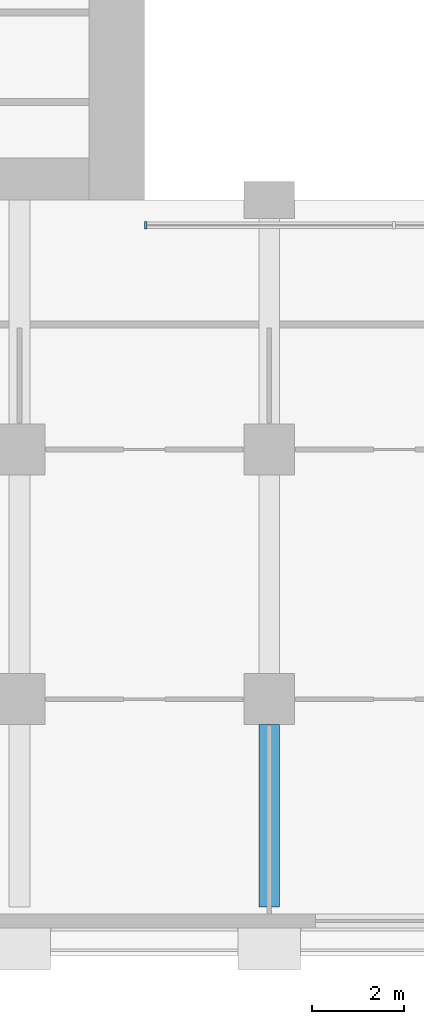
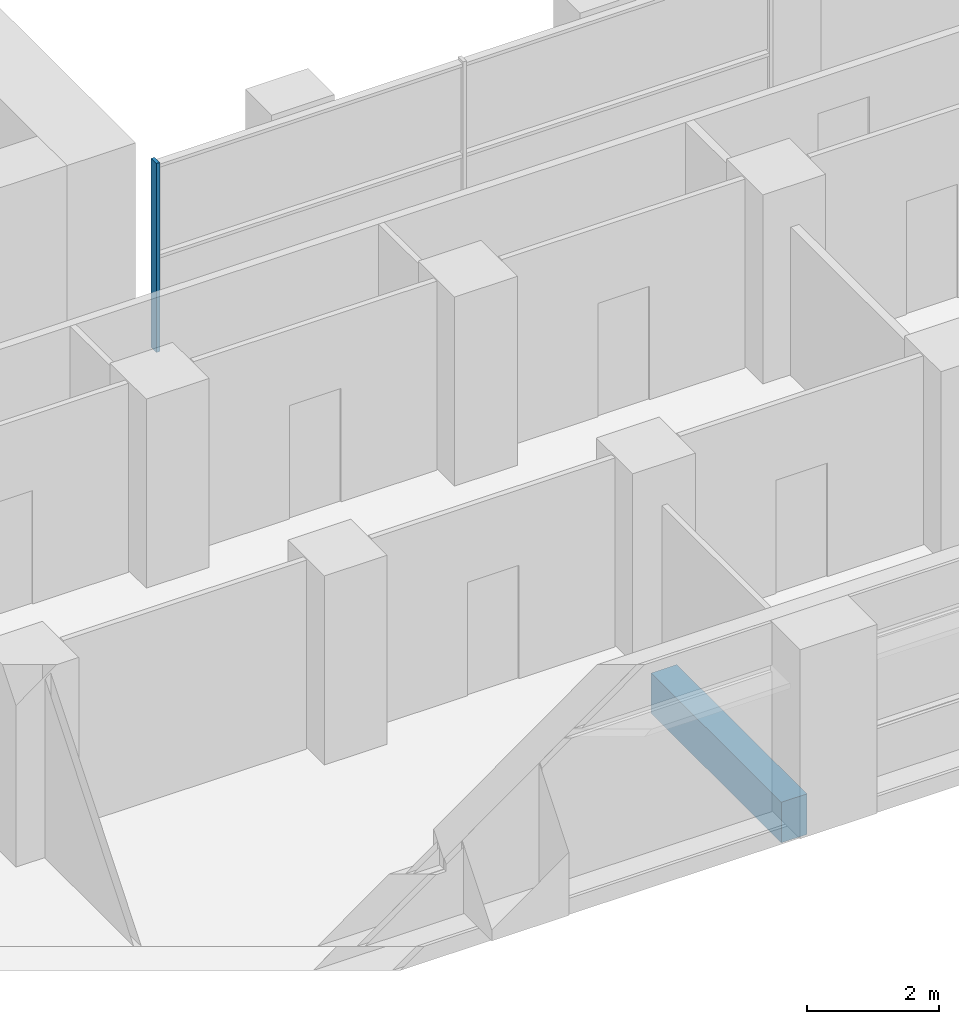
# One storey, part 2 of 13: 1 beam, 1 member, 1 element without a shape of its own.
"""IFC4 building model written with IfcOpenShell, lengths in metres."""

import ifcopenshell
import ifcopenshell.guid

model = None  # the IFC model being written
_history = None  # IfcOwnerHistory: only IFC2X3 demands one
_inside = {}  # id of a spatial element -> (the spatial element, [elements in it])
_under = {}  # id of a project, library or spatial element -> (it, [spatial elements below it])
_declared = {}  # id of a project -> (the project, [libraries it declares])
_typed = {}  # id of a type object -> (the type object, [elements of that type])
_made_of = {}  # id of a material, layer set ... -> (it, [elements and type objects made of it])


def new_model(schema):
    """Start an empty IFC model of exactly this schema.

    Asked for "IFC4X3", IfcOpenShell would pick the latest addendum, in which some entities
    have other attributes; the version numbers below select the first issue.
    IFC2X3 requires an IfcOwnerHistory on every rooted entity: one is made here for all.
    """
    global model, _history
    if schema == "IFC4X3":
        model = ifcopenshell.file(schema_version=(4, 3, 0, 0))
    else:
        model = ifcopenshell.file(schema=schema)
    _inside.clear()
    _under.clear()
    _declared.clear()
    _typed.clear()
    _made_of.clear()
    _history = None
    if model.schema == "IFC2X3":
        org = make("IfcOrganization", Name="unknown")
        user = make(
            "IfcPersonAndOrganization",
            ThePerson=make("IfcPerson", FamilyName="unknown"),
            TheOrganization=org,
        )
        app = make(
            "IfcApplication",
            ApplicationDeveloper=org,
            Version="unknown",
            ApplicationFullName="unknown",
            ApplicationIdentifier="unknown",
        )
        _history = make(
            "IfcOwnerHistory",
            OwningUser=user,
            OwningApplication=app,
            ChangeAction="ADDED",
            CreationDate=0,
        )
    return model


def make(cls, **values):
    """One entity of the class cls with the attributes given. An attribute that is None is left unset."""
    return model.create_entity(
        cls, **{name: value for name, value in values.items() if value is not None}
    )


def rooted(cls, **values):
    """An entity with a GlobalId (a new one), such as an element, a storey or a relation."""
    return make(cls, GlobalId=ifcopenshell.guid.new(), OwnerHistory=_history, **values)


def si_unit(unit_type, name, prefix=None):
    """IfcSIUnit, for example si_unit("LENGTHUNIT", "METRE", prefix="MILLI")."""
    return make("IfcSIUnit", UnitType=unit_type, Prefix=prefix, Name=name)


def assignment(units):
    """IfcUnitAssignment: the units of a project."""
    return None if units is None else make("IfcUnitAssignment", Units=units)


def point(xyz):
    """IfcCartesianPoint."""
    return None if xyz is None else make("IfcCartesianPoint", Coordinates=xyz)


def direction(xyz):
    """IfcDirection."""
    return None if xyz is None else make("IfcDirection", DirectionRatios=xyz)


def frame(location, z_axis=None, x_axis=None):
    """IfcAxis2Placement3D, a coordinate frame: its origin and axes. An axis left out is left unset."""
    return make(
        "IfcAxis2Placement3D",
        Location=point(location),
        Axis=direction(z_axis),
        RefDirection=direction(x_axis),
    )


def frame_2d(location, x_axis=None):
    """IfcAxis2Placement2D, a coordinate frame in the plane: its origin and x axis."""
    return make(
        "IfcAxis2Placement2D", Location=point(location), RefDirection=direction(x_axis)
    )


def origin():
    """The frame at (0, 0, 0) with its axes left unset."""
    return frame((0.0, 0.0, 0.0))


def origin_2d():
    """The frame at (0, 0) in the plane with its x axis left unset."""
    return frame_2d((0.0, 0.0))


def place(relative_to, where):
    """IfcLocalPlacement: puts the frame where relative to a parent placement (None: the world)."""
    return make(
        "IfcLocalPlacement", PlacementRelTo=relative_to, RelativePlacement=where
    )


def context(
    kind, dimensions, precision=None, world=None, true_north=None, identifier=None
):
    """IfcGeometricRepresentationContext, for example the 3D "Model" context."""
    return make(
        "IfcGeometricRepresentationContext",
        ContextIdentifier=identifier,
        ContextType=kind,
        CoordinateSpaceDimension=dimensions,
        Precision=precision,
        WorldCoordinateSystem=world,
        TrueNorth=true_north,
    )


def subcontext(parent, identifier, kind, view, scale=None):
    """IfcGeometricRepresentationSubContext, for example "Body" below "Model"."""
    return make(
        "IfcGeometricRepresentationSubContext",
        ContextIdentifier=identifier,
        ContextType=kind,
        ParentContext=parent,
        TargetScale=scale,
        TargetView=view,
    )


def project(units=None, contexts=None):
    """IfcProject with its units and contexts."""
    return rooted(
        "IfcProject",
        Name="project",
        RepresentationContexts=contexts,
        UnitsInContext=assignment(units),
    )


def spatial(cls, under=None, at=None, **own):
    """A site, building, storey or space (cls), placed at a placement, below another one or the project."""
    s = rooted(cls, ObjectPlacement=at, **own)
    if under is not None:
        _under.setdefault(under.id(), (under, []))[1].append(s)
    return s


def profile(cls, at=None, kind="AREA", **sizes):
    """A parametric profile (cls). Its sizes go by their IFC names, for example OverallWidth=200.0."""
    return make(cls, ProfileType=kind, Position=at, **sizes)


def rectangle(**sizes):
    """IfcRectangleProfileDef."""
    return profile("IfcRectangleProfileDef", **sizes)


def extrude(swept, where, along, depth):
    """IfcExtrudedAreaSolid: the profile swept, set in the frame where, extruded along a direction by depth."""
    return make(
        "IfcExtrudedAreaSolid",
        SweptArea=swept,
        Position=where,
        ExtrudedDirection=direction(along),
        Depth=depth,
    )


def shape(context_of_items, identifier, shape_type, items):
    """IfcShapeRepresentation: the items that make up one representation, for example the "Body"."""
    return make(
        "IfcShapeRepresentation",
        ContextOfItems=context_of_items,
        RepresentationIdentifier=identifier,
        RepresentationType=shape_type,
        Items=items,
    )


def material(Name=None, Category=None):
    """IfcMaterial."""
    return make("IfcMaterial", Name=Name, Category=Category)


def material_profile(
    of_material, cross_section, Name=None, Category=None, Priority=None
):
    """IfcMaterialProfile: a cross section and its material."""
    return make(
        "IfcMaterialProfile",
        Name=Name,
        Material=of_material,
        Profile=cross_section,
        Priority=Priority,
        Category=Category,
    )


def profile_set(profiles, Name=None, composite=None):
    """IfcMaterialProfileSet."""
    return make(
        "IfcMaterialProfileSet",
        Name=Name,
        MaterialProfiles=profiles,
        CompositeProfile=composite,
    )


def made_of(thing, what):
    """Note that an element or type object is made of a material, layer set ...; save() writes the relation."""
    if what is not None:
        _made_of.setdefault(what.id(), (what, []))[1].append(thing)
    return thing


def type_object(cls, material=None, **own):
    """A type object (cls), such as IfcWallType, which elements share."""
    return made_of(rooted(cls, **own), material)


def element(
    cls,
    number,
    at=None,
    inside=None,
    cuts=None,
    type_object=None,
    material=None,
    context=None,
    identifier="Body",
    shape_type=None,
    held_by="IfcProductDefinitionShape",
    body=None,
    shapes=None,
    **own,
):
    """One element of the class cls, such as IfcWall. Its Tag is "e" and its number.

    at: its placement. inside: the storey or other place that contains it. cuts: it is an
    opening in that element (IfcRelVoidsElement). A single representation is given by context,
    identifier, shape_type and body (its items); several are given by shapes. held_by: the class
    of the entity that holds the representations. save() writes the other relations.
    """
    e = rooted(cls, Tag="e%d" % number, ObjectPlacement=at, **own)
    if body is not None:
        shapes = [shape(context, identifier, shape_type, body)]
    if shapes is not None:
        e.Representation = make(held_by, Representations=shapes)
    if inside is not None:
        _inside.setdefault(inside.id(), (inside, []))[1].append(e)
    if cuts is not None:
        rooted(
            "IfcRelVoidsElement", RelatingBuildingElement=cuts, RelatedOpeningElement=e
        )
    if type_object is not None:
        _typed.setdefault(type_object.id(), (type_object, []))[1].append(e)
    return made_of(e, material)


def aggregate(whole, parts):
    """IfcRelAggregates: a whole, such as a stair, and the parts it consists of."""
    return rooted("IfcRelAggregates", RelatingObject=whole, RelatedObjects=parts)


def save(model, path):
    """Write the relations noted so far, then the file.

    IfcRelAggregates (storeys below a building ...), IfcRelContainedInSpatialStructure (elements
    in a storey), IfcRelDefinesByType, IfcRelAssociatesMaterial and IfcRelDeclares: one each for
    every whole, place, type object, material and project.
    """
    for whole, parts in _under.values():
        aggregate(whole, parts)
    for where, things in _inside.values():
        rooted(
            "IfcRelContainedInSpatialStructure",
            RelatedElements=things,
            RelatingStructure=where,
        )
    for kind, things in _typed.values():
        rooted("IfcRelDefinesByType", RelatedObjects=things, RelatingType=kind)
    for what, things in _made_of.values():
        rooted("IfcRelAssociatesMaterial", RelatedObjects=things, RelatingMaterial=what)
    for by, libraries in _declared.values():
        rooted("IfcRelDeclares", RelatingContext=by, RelatedDefinitions=libraries)
    model.write(path)


model = new_model("IFC4")

# Units and contexts
model_context = context("Model", 3, precision=1e-05, world=origin(), true_north=direction((0.0, 1.0)))
body_context = subcontext(model_context, "Body", "Model", "MODEL_VIEW")
ifc_project = project(units=[si_unit("LENGTHUNIT", "METRE"), si_unit("AREAUNIT", "SQUARE_METRE"), si_unit("VOLUMEUNIT", "CUBIC_METRE"), si_unit("PLANEANGLEUNIT", "RADIAN"), si_unit("MASSUNIT", "GRAM", prefix="KILO")], contexts=[model_context])

# Site, building, storey
site_placement = place(None, origin())
site = spatial("IfcSite", under=ifc_project, at=site_placement, CompositionType="ELEMENT")
building_placement = place(site_placement, origin())
building = spatial("IfcBuilding", under=site, at=building_placement, Name="Tabaq Tower and Sports Hall", CompositionType="ELEMENT")
storey_placement = place(building_placement, frame((0.0, 0.0, 48.800048828125)))
storey = spatial("IfcBuildingStorey", under=building, at=storey_placement, Name="L10", CompositionType="ELEMENT", Elevation=48.800048828125)

# Curtain wall, member
ifc_material_1 = material(Name="Aluminium alloy 6063-T6 framed glazing", Category="aluminium")
curtain_wall_type = type_object("IfcCurtainWallType", Name="CW1 curtain wall", PredefinedType="USERDEFINED", material=ifc_material_1)
curtain_wall_placement = place(storey_placement, origin())
curtain_wall = element("IfcCurtainWall", 1, at=curtain_wall_placement, inside=storey, type_object=curtain_wall_type, Name="Atrium glazing L10 S", ObjectType="ATRIUM ENCLOSURE", PredefinedType="USERDEFINED")
ifc_material_2 = material(Name="Aluminium alloy 6063-T6", Category="aluminium")
ifc_material_profile_1 = material_profile(ifc_material_2, rectangle(XDim=0.159912109375, YDim=0.06005859375, at=origin_2d()), Name="MULLION 160x60")
ifc_profile_set_1 = profile_set([ifc_material_profile_1], Name="Aluminium alloy 6063-T6")
member_type = type_object("IfcMemberType", Name="CW1 mullion 160x60", PredefinedType="MULLION", material=ifc_profile_set_1)
member_placement = place(storey_placement, frame((18.929931640625, 15.64990234375, 0.0), z_axis=(0.0, 0.0, 1.0), x_axis=(0.0, 1.0, 0.0)))
member = element("IfcMember", 2, at=member_placement, type_object=member_type, Name="CW1 mullion 1", PredefinedType="MULLION", context=body_context, shape_type="SweptSolid", body=[
    extrude(rectangle(XDim=0.159912109375, YDim=0.06005859375, at=origin_2d()), origin(), (0.0, 0.0, 1.0), 3.5),
])
aggregate(curtain_wall, [member])

# Beam
ifc_material_3 = material(Name="Concrete C40/50", Category="concrete")
ifc_material_profile_2 = material_profile(ifc_material_3, rectangle(XDim=0.449951171875, YDim=0.75, at=origin_2d()), Name="CB 450x750")
ifc_profile_set_2 = profile_set([ifc_material_profile_2], Name="Concrete C40/50")
beam_type = type_object("IfcBeamType", Name="PT CANTILEVER BEAM CB 450x750 C40/50", PredefinedType="BEAM", material=ifc_profile_set_2)
beam_placement = place(storey_placement, frame((21.60009765625, 0.89990234375, -0.675048828125), z_axis=(0.0, 1.0, 0.0), x_axis=(-1.0, 0.0, 0.0)))
element("IfcBeam", 3, at=beam_placement, inside=storey, type_object=beam_type, Name="Cantilever Beam L10 S4 span 1", PredefinedType="BEAM", context=body_context, shape_type="SweptSolid", body=[
    extrude(rectangle(XDim=0.449951171875, YDim=0.75, at=origin_2d()), origin(), (0.0, 0.0, 1.0), 3.9501953125),
])

save(model, "model.ifc")
